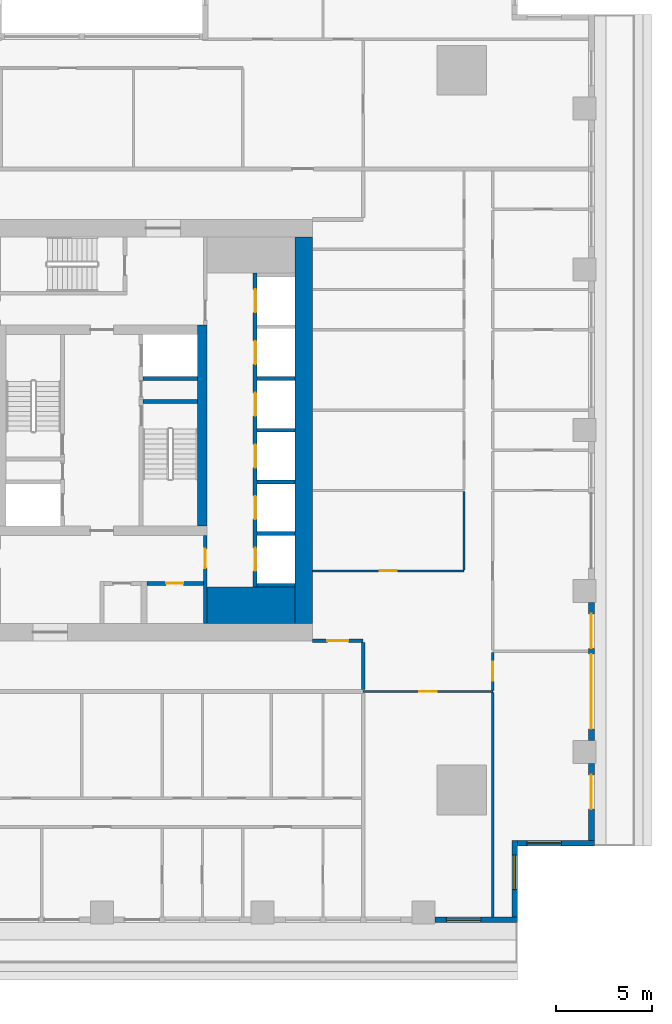
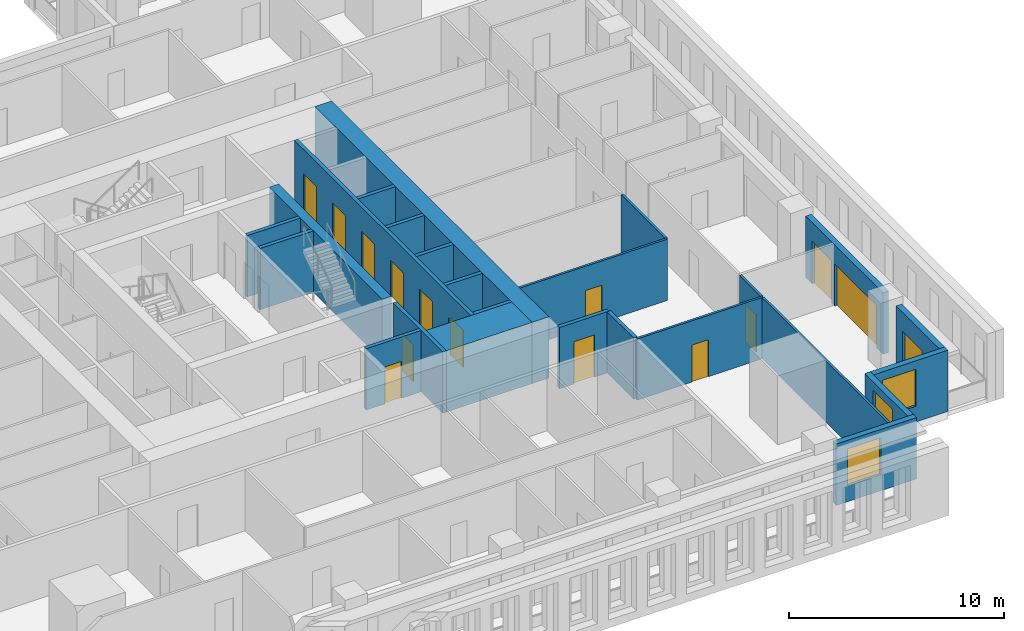
# One storey, part 5 of 15: 25 walls, 15 doors, 3 windows, 18 openings.
"""IFC4 building model written with IfcOpenShell, lengths in metres."""

from ifc_helpers import new_model, si_unit, direction, frame, frame_2d, origin, place, context, subcontext, project, spatial, rectangle, extrude, material, layer, layer_set, type_object, element, fill, save


model = new_model("IFC4")

# Units and contexts
model_context = context("Model", 3, precision=1e-05, world=origin(), true_north=direction((0.0, 1.0)))
body_context = subcontext(model_context, "Body", "Model", "MODEL_VIEW")
ifc_project = project(units=[si_unit("LENGTHUNIT", "METRE"), si_unit("AREAUNIT", "SQUARE_METRE"), si_unit("VOLUMEUNIT", "CUBIC_METRE"), si_unit("PLANEANGLEUNIT", "RADIAN"), si_unit("MASSUNIT", "GRAM", prefix="KILO")], contexts=[model_context])

# Site, building, storey
site_placement = place(None, origin())
site = spatial("IfcSite", under=ifc_project, at=site_placement, CompositionType="ELEMENT")
building_placement = place(site_placement, origin())
building = spatial("IfcBuilding", under=site, at=building_placement, Name="Khepri Terraces", CompositionType="ELEMENT")
storey_placement = place(building_placement, frame((0.0, 0.0, 145.5)))
storey = spatial("IfcBuildingStorey", under=building, at=storey_placement, Name="L34", CompositionType="ELEMENT", Elevation=145.5)

# Walls
ifc_material_1 = material(Name="Concrete C60/75", Category="concrete")
ifc_layer_1 = layer(ifc_material_1, 1.89990234375, Name="Concrete C60/75", Category="concrete")
ifc_layer_set_1 = layer_set([ifc_layer_1], Name="Concrete C60/75")
wall_type_1 = type_object("IfcWallType", Name="Core wall 1900 C60/75", PredefinedType="SHEAR", material=ifc_layer_set_1)
wall_1_placement = place(storey_placement, frame((5.5, -9.14990234375, 0.0), z_axis=(0.0, 0.0, 1.0), x_axis=(1.0, 0.0, 0.0)))
element("IfcWall", 1, at=wall_1_placement, inside=storey, type_object=wall_type_1, Name="Core wall PR02 L34", PredefinedType="SHEAR", context=body_context, shape_type="SweptSolid", body=[
    extrude(rectangle(XDim=4.60009765625, YDim=1.89990234375, at=frame_2d((2.300048828125, 0.0))), origin(), (0.0, 0.0, 1.0), 3.47998046875),
])
ifc_layer_2 = layer(ifc_material_1, 0.199951171875, Name="Concrete C60/75", Category="concrete")
ifc_layer_set_2 = layer_set([ifc_layer_2], Name="Concrete C60/75")
wall_type_2 = type_object("IfcWallType", Name="Core wall 200 C60/75", PredefinedType="SHEAR", material=ifc_layer_set_2)
wall_2_placement = place(storey_placement, frame((2.14990234375, 1.5, 0.0), z_axis=(0.0, 0.0, 1.0), x_axis=(1.0, 0.0, 0.0)))
element("IfcWall", 2, at=wall_2_placement, inside=storey, type_object=wall_type_2, Name="Core wall ST04 L34", PredefinedType="SHEAR", context=body_context, shape_type="SweptSolid", body=[
    extrude(rectangle(XDim=2.85009765625, YDim=0.199951171875, at=frame_2d((1.425048828125, 0.0))), origin(), (0.0, 0.0, 1.0), 3.47998046875),
])

# Wall, openings, doors
wall_3_placement = place(storey_placement, frame((8.0, -8.199951171875, 0.0), z_axis=(0.0, 0.0, 1.0), x_axis=(0.0, 1.0, 0.0)))
wall_3 = element("IfcWall", 3, at=wall_3_placement, inside=storey, type_object=wall_type_2, Name="Core wall SH02 L34", PredefinedType="SHEAR", context=body_context, shape_type="SweptSolid", body=[
    extrude(rectangle(XDim=16.39990234375, YDim=0.199951171875, at=frame_2d((8.199951171875, 0.0))), origin(), (0.0, 0.0, 1.0), 3.47998046875),
])
opening_1_placement = place(wall_3_placement, frame((0.85009765625, 0.0, 0.0)))
opening_1 = element("IfcOpeningElement", 4, at=opening_1_placement, cuts=wall_3, Name="Opening L34-C01", PredefinedType="OPENING", context=body_context, shape_type="SweptSolid", body=[
    extrude(rectangle(XDim=1.199951171875, YDim=2.10009765625, at=frame_2d((0.60009765625, 1.050048828125))), frame((0.0, 0.10986328125, 0.0), z_axis=(0.0, -1.0, 0.0), x_axis=(1.0, 0.0, 0.0)), (0.0, 0.0, 1.0), 0.219970703125),
])
opening_2_placement = place(wall_3_placement, frame((3.550048828125, 0.0, 0.0)))
opening_2 = element("IfcOpeningElement", 5, at=opening_2_placement, cuts=wall_3, Name="Opening L34-C02", PredefinedType="OPENING", context=body_context, shape_type="SweptSolid", body=[
    extrude(rectangle(XDim=1.199951171875, YDim=2.10009765625, at=frame_2d((0.60009765625, 1.050048828125))), frame((0.0, 0.10986328125, 0.0), z_axis=(0.0, -1.0, 0.0), x_axis=(1.0, 0.0, 0.0)), (0.0, 0.0, 1.0), 0.219970703125),
])
opening_3_placement = place(wall_3_placement, frame((6.25, 0.0, 0.0)))
opening_3 = element("IfcOpeningElement", 6, at=opening_3_placement, cuts=wall_3, Name="Opening L34-C03", PredefinedType="OPENING", context=body_context, shape_type="SweptSolid", body=[
    extrude(rectangle(XDim=1.199951171875, YDim=2.10009765625, at=frame_2d((0.60009765625, 1.050048828125))), frame((0.0, 0.10986328125, 0.0), z_axis=(0.0, -1.0, 0.0), x_axis=(1.0, 0.0, 0.0)), (0.0, 0.0, 1.0), 0.219970703125),
])
opening_4_placement = place(wall_3_placement, frame((8.949951171875, 0.0, 0.0)))
opening_4 = element("IfcOpeningElement", 7, at=opening_4_placement, cuts=wall_3, Name="Opening L34-C04", PredefinedType="OPENING", context=body_context, shape_type="SweptSolid", body=[
    extrude(rectangle(XDim=1.199951171875, YDim=2.10009765625, at=frame_2d((0.60009765625, 1.050048828125))), frame((0.0, 0.10986328125, 0.0), z_axis=(0.0, -1.0, 0.0), x_axis=(1.0, 0.0, 0.0)), (0.0, 0.0, 1.0), 0.219970703125),
])
opening_5_placement = place(wall_3_placement, frame((11.64990234375, 0.0, 0.0)))
opening_5 = element("IfcOpeningElement", 8, at=opening_5_placement, cuts=wall_3, Name="Opening L34-C05", PredefinedType="OPENING", context=body_context, shape_type="SweptSolid", body=[
    extrude(rectangle(XDim=1.199951171875, YDim=2.10009765625, at=frame_2d((0.60009765625, 1.050048828125))), frame((0.0, 0.10986328125, 0.0), z_axis=(0.0, -1.0, 0.0), x_axis=(1.0, 0.0, 0.0)), (0.0, 0.0, 1.0), 0.219970703125),
])
opening_6_placement = place(wall_3_placement, frame((14.35009765625, 0.0, 0.0)))
opening_6 = element("IfcOpeningElement", 9, at=opening_6_placement, cuts=wall_3, Name="Opening L34-C06", PredefinedType="OPENING", context=body_context, shape_type="SweptSolid", body=[
    extrude(rectangle(XDim=1.199951171875, YDim=2.10009765625, at=frame_2d((0.60009765625, 1.050048828125))), frame((0.0, 0.10986328125, 0.0), z_axis=(0.0, -1.0, 0.0), x_axis=(1.0, 0.0, 0.0)), (0.0, 0.0, 1.0), 0.219970703125),
])
ifc_material_2 = material(Name="Stainless steel 304", Category="steel")
door_type_1 = type_object("IfcDoorType", Name="DR-CORE-LANDING-1200", OperationType="NOTDEFINED", PredefinedType="DOOR", material=ifc_material_2)
door_1_placement = place(opening_1_placement, origin())
door_1 = element("IfcDoor", 10, at=door_1_placement, inside=storey, type_object=door_type_1, Name="Lift landing door L34-C01", OperationType="SLIDING_TO_LEFT", OverallHeight=2.10009765625, OverallWidth=1.199951171875, PredefinedType="DOOR", context=body_context, shape_type="SweptSolid", body=[
    extrude(rectangle(XDim=1.199951171875, YDim=2.10009765625, at=frame_2d((0.60009765625, 1.050048828125))), frame((0.0, 0.02490234375, 0.0), z_axis=(0.0, -1.0, 0.0), x_axis=(1.0, 0.0, 0.0)), (0.0, 0.0, 1.0), 0.050048828125),
])
fill(opening_1, door_1)
door_2_placement = place(opening_2_placement, origin())
door_2 = element("IfcDoor", 11, at=door_2_placement, inside=storey, type_object=door_type_1, Name="Lift landing door L34-C02", OperationType="SLIDING_TO_LEFT", OverallHeight=2.10009765625, OverallWidth=1.199951171875, PredefinedType="DOOR", context=body_context, shape_type="SweptSolid", body=[
    extrude(rectangle(XDim=1.199951171875, YDim=2.10009765625, at=frame_2d((0.60009765625, 1.050048828125))), frame((0.0, 0.02490234375, 0.0), z_axis=(0.0, -1.0, 0.0), x_axis=(1.0, 0.0, 0.0)), (0.0, 0.0, 1.0), 0.050048828125),
])
fill(opening_2, door_2)
door_3_placement = place(opening_3_placement, origin())
door_3 = element("IfcDoor", 12, at=door_3_placement, inside=storey, type_object=door_type_1, Name="Lift landing door L34-C03", OperationType="SLIDING_TO_LEFT", OverallHeight=2.10009765625, OverallWidth=1.199951171875, PredefinedType="DOOR", context=body_context, shape_type="SweptSolid", body=[
    extrude(rectangle(XDim=1.199951171875, YDim=2.10009765625, at=frame_2d((0.60009765625, 1.050048828125))), frame((0.0, 0.02490234375, 0.0), z_axis=(0.0, -1.0, 0.0), x_axis=(1.0, 0.0, 0.0)), (0.0, 0.0, 1.0), 0.050048828125),
])
fill(opening_3, door_3)
door_4_placement = place(opening_4_placement, origin())
door_4 = element("IfcDoor", 13, at=door_4_placement, inside=storey, type_object=door_type_1, Name="Lift landing door L34-C04", OperationType="SLIDING_TO_LEFT", OverallHeight=2.10009765625, OverallWidth=1.199951171875, PredefinedType="DOOR", context=body_context, shape_type="SweptSolid", body=[
    extrude(rectangle(XDim=1.199951171875, YDim=2.10009765625, at=frame_2d((0.60009765625, 1.050048828125))), frame((0.0, 0.02490234375, 0.0), z_axis=(0.0, -1.0, 0.0), x_axis=(1.0, 0.0, 0.0)), (0.0, 0.0, 1.0), 0.050048828125),
])
fill(opening_4, door_4)
door_5_placement = place(opening_5_placement, origin())
door_5 = element("IfcDoor", 14, at=door_5_placement, inside=storey, type_object=door_type_1, Name="Lift landing door L34-C05", OperationType="SLIDING_TO_LEFT", OverallHeight=2.10009765625, OverallWidth=1.199951171875, PredefinedType="DOOR", context=body_context, shape_type="SweptSolid", body=[
    extrude(rectangle(XDim=1.199951171875, YDim=2.10009765625, at=frame_2d((0.60009765625, 1.050048828125))), frame((0.0, 0.02490234375, 0.0), z_axis=(0.0, -1.0, 0.0), x_axis=(1.0, 0.0, 0.0)), (0.0, 0.0, 1.0), 0.050048828125),
])
fill(opening_5, door_5)
door_6_placement = place(opening_6_placement, origin())
door_6 = element("IfcDoor", 15, at=door_6_placement, inside=storey, type_object=door_type_1, Name="Lift landing door L34-C06", OperationType="SLIDING_TO_LEFT", OverallHeight=2.10009765625, OverallWidth=1.199951171875, PredefinedType="DOOR", context=body_context, shape_type="SweptSolid", body=[
    extrude(rectangle(XDim=1.199951171875, YDim=2.10009765625, at=frame_2d((0.60009765625, 1.050048828125))), frame((0.0, 0.02490234375, 0.0), z_axis=(0.0, -1.0, 0.0), x_axis=(1.0, 0.0, 0.0)), (0.0, 0.0, 1.0), 0.050048828125),
])
fill(opening_6, door_6)

# Walls
for number, where, z_axis, x_axis, name in (
    (16, (8.10009765625, -8.10009765625, 0.0), (0.0, 0.0, 1.0), (1.0, 0.0, 0.0), "Core wall SH03 L34"),
    (17, (8.10009765625, -5.39990234375, 0.0), (0.0, 0.0, 1.0), (1.0, 0.0, 0.0), "Core wall SH04 L34"),
    (18, (8.10009765625, -2.699951171875, 0.0), (0.0, 0.0, 1.0), (1.0, 0.0, 0.0), "Core wall SH08 L34"),
    (19, (8.10009765625, 0.0, 0.0), (0.0, 0.0, 1.0), (1.0, 0.0, 0.0), "Core wall SH09 L34"),
):
    element("IfcWall", number, at=place(storey_placement, frame(where, z_axis=z_axis, x_axis=x_axis)), inside=storey, type_object=wall_type_2, Name=name, PredefinedType="SHEAR", context=body_context, shape_type="SweptSolid", body=[
        extrude(rectangle(XDim=2.0, YDim=0.199951171875, at=frame_2d((1.0, 0.0))), origin(), (0.0, 0.0, 1.0), 3.47998046875),
    ])
wall_4_placement = place(storey_placement, frame((2.14990234375, 2.699951171875, 0.0), z_axis=(0.0, 0.0, 1.0), x_axis=(1.0, 0.0, 0.0)))
element("IfcWall", 20, at=wall_4_placement, inside=storey, type_object=wall_type_2, Name="Core wall SH12 L34", PredefinedType="SHEAR", context=body_context, shape_type="SweptSolid", body=[
    extrude(rectangle(XDim=2.85009765625, YDim=0.199951171875, at=frame_2d((1.425048828125, 0.0))), origin(), (0.0, 0.0, 1.0), 3.47998046875),
])
wall_5_placement = place(storey_placement, frame((8.10009765625, 2.699951171875, 0.0), z_axis=(0.0, 0.0, 1.0), x_axis=(1.0, 0.0, 0.0)))
element("IfcWall", 21, at=wall_5_placement, inside=storey, type_object=wall_type_2, Name="Core wall SH13 L34", PredefinedType="SHEAR", context=body_context, shape_type="SweptSolid", body=[
    extrude(rectangle(XDim=2.0, YDim=0.199951171875, at=frame_2d((1.0, 0.0))), origin(), (0.0, 0.0, 1.0), 3.47998046875),
])
ifc_layer_3 = layer(ifc_material_1, 0.5, Name="Concrete C60/75", Category="concrete")
ifc_layer_set_3 = layer_set([ifc_layer_3], Name="Concrete C60/75")
wall_type_3 = type_object("IfcWallType", Name="Core wall 500 C60/75", PredefinedType="SHEAR", material=ifc_layer_set_3)
wall_6_placement = place(storey_placement, frame((5.25, -5.0, 0.0), z_axis=(0.0, 0.0, 1.0), x_axis=(0.0, 1.0, 0.0)))
element("IfcWall", 22, at=wall_6_placement, inside=storey, type_object=wall_type_3, Name="Core wall BX03 L34", PredefinedType="SHEAR", context=body_context, shape_type="SweptSolid", body=[
    extrude(rectangle(XDim=10.5, YDim=0.5, at=frame_2d((5.25, 0.0))), origin(), (0.0, 0.0, 1.0), 3.47998046875),
])
ifc_layer_4 = layer(ifc_material_1, 0.89990234375, Name="Concrete C60/75", Category="concrete")
ifc_layer_set_4 = layer_set([ifc_layer_4], Name="Concrete C60/75")
wall_type_4 = type_object("IfcWallType", Name="Core wall 900 C60/75", PredefinedType="SHEAR", material=ifc_layer_set_4)
wall_7_placement = place(storey_placement, frame((10.550048828125, -10.10009765625, 0.0), z_axis=(0.0, 0.0, 1.0), x_axis=(0.0, 1.0, 0.0)))
element("IfcWall", 23, at=wall_7_placement, inside=storey, type_object=wall_type_4, Name="Core wall OW-E L34", PredefinedType="SHEAR", context=body_context, shape_type="SweptSolid", body=[
    extrude(rectangle(XDim=20.2001953125, YDim=0.89990234375, at=frame_2d((10.10009765625, 0.0))), origin(), (0.0, 0.0, 1.0), 3.47998046875),
])

# Wall, opening, door
ifc_material_3 = material(Name="Fire-rated gypsum board partition")
ifc_layer_5 = layer(ifc_material_3, 0.199951171875, Name="Fire-rated gypsum board partition")
ifc_layer_set_5 = layer_set([ifc_layer_5], Name="Fire-rated gypsum board partition")
wall_type_5 = type_object("IfcWallType", Name="WL-CORE-PART-200", PredefinedType="PARTITIONING", material=ifc_layer_set_5)
wall_8_placement = place(storey_placement, frame((5.39990234375, -10.10009765625, 0.0), z_axis=(0.0, 0.0, 1.0), x_axis=(0.0, 1.0, 0.0)))
wall_8 = element("IfcWall", 24, at=wall_8_placement, inside=storey, type_object=wall_type_5, Name="Core partition PT04 L34", PredefinedType="PARTITIONING", context=body_context, shape_type="SweptSolid", body=[
    extrude(rectangle(XDim=4.60009765625, YDim=0.199951171875, at=frame_2d((2.300048828125, 0.0))), origin(), (0.0, 0.0, 1.0), 3.47998046875),
])
opening_7_placement = place(wall_8_placement, frame((2.89990234375, 0.0, 0.0)))
opening_7 = element("IfcOpeningElement", 25, at=opening_7_placement, cuts=wall_8, Name="Opening L34-C19", PredefinedType="OPENING", context=body_context, shape_type="SweptSolid", body=[
    extrude(rectangle(XDim=1.0, YDim=2.10009765625, at=frame_2d((0.5, 1.050048828125))), frame((0.0, 0.10986328125, 0.0), z_axis=(0.0, -1.0, 0.0), x_axis=(1.0, 0.0, 0.0)), (0.0, 0.0, 1.0), 0.219970703125),
])
ifc_material_4 = material(Name="Painted steel", Category="steel")
door_type_2 = type_object("IfcDoorType", Name="DR-CORE-LOBBY-1000", OperationType="NOTDEFINED", PredefinedType="DOOR", material=ifc_material_4)
door_7_placement = place(opening_7_placement, origin())
door_7 = element("IfcDoor", 26, at=door_7_placement, inside=storey, type_object=door_type_2, Name="Lobby door L34-C19", OperationType="SINGLE_SWING_RIGHT", OverallHeight=2.10009765625, OverallWidth=1.0, PredefinedType="DOOR", context=body_context, shape_type="SweptSolid", body=[
    extrude(rectangle(XDim=1.0, YDim=2.10009765625, at=frame_2d((0.5, 1.050048828125))), frame((0.0, 0.02490234375, 0.0), z_axis=(0.0, -1.0, 0.0), x_axis=(1.0, 0.0, 0.0)), (0.0, 0.0, 1.0), 0.050048828125),
])
fill(opening_7, door_7)

wall_9_placement = place(storey_placement, frame((2.35009765625, -8.0, 0.0), z_axis=(0.0, 0.0, 1.0), x_axis=(1.0, 0.0, 0.0)))
wall_9 = element("IfcWall", 27, at=wall_9_placement, inside=storey, type_object=wall_type_5, Name="Core partition PT07 L34", PredefinedType="PARTITIONING", context=body_context, shape_type="SweptSolid", body=[
    extrude(rectangle(XDim=2.949951171875, YDim=0.199951171875, at=frame_2d((1.47509765625, 0.0))), origin(), (0.0, 0.0, 1.0), 3.47998046875),
])
opening_8_placement = place(wall_9_placement, frame((1.0, 0.0, 0.0)))
opening_8 = element("IfcOpeningElement", 28, at=opening_8_placement, cuts=wall_9, Name="Opening L34-C23", PredefinedType="OPENING", context=body_context, shape_type="SweptSolid", body=[
    extrude(rectangle(XDim=0.89990234375, YDim=2.10009765625, at=frame_2d((0.449951171875, 1.050048828125))), frame((0.0, 0.10986328125, 0.0), z_axis=(0.0, -1.0, 0.0), x_axis=(1.0, 0.0, 0.0)), (0.0, 0.0, 1.0), 0.219970703125),
])
door_type_3 = type_object("IfcDoorType", Name="DR-CORE-SERVICE-900", OperationType="NOTDEFINED", PredefinedType="DOOR", material=ifc_material_4)
door_8_placement = place(opening_8_placement, frame((0.89990234375, 0.0, 0.0), z_axis=(0.0, 0.0, 1.0), x_axis=(-1.0, 0.0, 0.0)))
door_8 = element("IfcDoor", 29, at=door_8_placement, inside=storey, type_object=door_type_3, Name="Service room door L34-C23", OperationType="SINGLE_SWING_RIGHT", OverallHeight=2.10009765625, OverallWidth=0.89990234375, PredefinedType="DOOR", context=body_context, shape_type="SweptSolid", body=[
    extrude(rectangle(XDim=0.89990234375, YDim=2.10009765625, at=frame_2d((0.449951171875, 1.050048828125))), frame((0.0, 0.02490234375, 0.0), z_axis=(0.0, -1.0, 0.0), x_axis=(1.0, 0.0, 0.0)), (0.0, 0.0, 1.0), 0.050048828125),
])
fill(opening_8, door_8)

# Wall
ifc_material_5 = material(Name="Fire-rated gypsum plasterboard partition, mineral wool")
ifc_layer_6 = layer(ifc_material_5, 0.199951171875, Name="Fire-rated gypsum plasterboard partition, mineral wool")
ifc_layer_set_6 = layer_set([ifc_layer_6], Name="Fire-rated gypsum plasterboard partition, mineral wool")
wall_type_6 = type_object("IfcWallType", Name="WL-CORR-200", PredefinedType="PARTITIONING", material=ifc_layer_set_6)
wall_10_placement = place(storey_placement, frame((13.64990234375, -13.550048828125, 0.0), z_axis=(0.0, 0.0, 1.0), x_axis=(0.0, 1.0, 0.0)))
element("IfcWall", 30, at=wall_10_placement, inside=storey, type_object=wall_type_6, Name="Partition P-024 L34", PredefinedType="PARTITIONING", context=body_context, shape_type="SweptSolid", body=[
    extrude(rectangle(XDim=2.449951171875, YDim=0.199951171875, at=frame_2d((1.22509765625, 0.0))), origin(), (0.0, 0.0, 1.0), 3.47998046875),
])

# Wall, opening, door
wall_11_placement = place(storey_placement, frame((11.0, -11.0, 0.0), z_axis=(0.0, 0.0, 1.0), x_axis=(1.0, 0.0, 0.0)))
wall_11 = element("IfcWall", 31, at=wall_11_placement, inside=storey, type_object=wall_type_6, Name="Partition P-030 L34", PredefinedType="PARTITIONING", context=body_context, shape_type="SweptSolid", body=[
    extrude(rectangle(XDim=2.64990234375, YDim=0.199951171875, at=frame_2d((1.324951171875, 0.0))), origin(), (0.0, 0.0, 1.0), 3.47998046875),
])
opening_9_placement = place(wall_11_placement, frame((0.77490234375, 0.0, 0.0)))
opening_9 = element("IfcOpeningElement", 32, at=opening_9_placement, cuts=wall_11, Name="Opening D1", PredefinedType="OPENING", context=body_context, shape_type="SweptSolid", body=[
    extrude(rectangle(XDim=1.10009765625, YDim=2.39990234375, at=frame_2d((0.550048828125, 1.199951171875))), frame((0.0, 0.10986328125, 0.0), z_axis=(0.0, -1.0, 0.0), x_axis=(1.0, 0.0, 0.0)), (0.0, 0.0, 1.0), 0.219970703125),
])
ifc_material_6 = material(Name="Solid-core timber door leaf, flat entrance door", Category="wood")
door_type_4 = type_object("IfcDoorType", Name="DR-ENT-1100", OperationType="NOTDEFINED", PredefinedType="DOOR", material=ifc_material_6)
door_9_placement = place(opening_9_placement, origin())
door_9 = element("IfcDoor", 33, at=door_9_placement, inside=storey, type_object=door_type_4, Name="Flat B1 entrance door", OperationType="SINGLE_SWING_LEFT", OverallHeight=2.39990234375, OverallWidth=1.10009765625, PredefinedType="DOOR", context=body_context, shape_type="SweptSolid", body=[
    extrude(rectangle(XDim=1.10009765625, YDim=2.39990234375, at=frame_2d((0.550048828125, 1.199951171875))), frame((0.0, 0.02490234375, 0.0), z_axis=(0.0, -1.0, 0.0), x_axis=(1.0, 0.0, 0.0)), (0.0, 0.0, 1.0), 0.050048828125),
])
fill(opening_9, door_9)

# Wall, opening, window
ifc_material_7 = material(Name="Precast concrete C50/60 warm stone", Category="masonry")
ifc_layer_7 = layer(ifc_material_7, 0.300048828125, Name="Precast concrete C50/60 warm stone", Category="masonry")
ifc_layer_set_7 = layer_set([ifc_layer_7], Name="Precast concrete C50/60 warm stone")
wall_type_7 = type_object("IfcWallType", Name="WL-EXT-PRECAST-300", PredefinedType="STANDARD", material=ifc_layer_set_7)
wall_12_placement = place(storey_placement, frame((21.719970703125, -21.570068359375, 0.0), z_axis=(0.0, 0.0, 1.0), x_axis=(1.0, 0.0, 0.0)))
wall_12 = element("IfcWall", 34, at=wall_12_placement, inside=storey, type_object=wall_type_7, Name="External wall L34 S", PredefinedType="STANDARD", context=body_context, shape_type="SweptSolid", body=[
    extrude(rectangle(XDim=4.0, YDim=0.300048828125, at=frame_2d((2.0, 0.0))), origin(), (0.0, 0.0, 1.0), 3.47998046875),
])
opening_10_placement = place(wall_12_placement, frame((0.47998046875, 0.0, 0.89990234375)))
opening_10 = element("IfcOpeningElement", 35, at=opening_10_placement, cuts=wall_12, Name="Opening W1", PredefinedType="OPENING", context=body_context, shape_type="SweptSolid", body=[
    extrude(rectangle(XDim=1.800048828125, YDim=2.10009765625, at=frame_2d((0.89990234375, 1.050048828125))), frame((0.0, 0.16015625, 0.0), z_axis=(0.0, -1.0, 0.0), x_axis=(1.0, 0.0, 0.0)), (0.0, 0.0, 1.0), 0.320068359375),
])
ifc_material_8 = material(Name="Clear glass", Category="glass")
window_type = type_object("IfcWindowType", Name="WIN-RES-1800x2100", PartitioningType="SINGLE_PANEL", PredefinedType="WINDOW", material=ifc_material_8)
window_1_placement = place(opening_10_placement, origin())
window_1 = element("IfcWindow", 36, at=window_1_placement, inside=storey, type_object=window_type, Name="Window L34 S", OverallHeight=2.10009765625, OverallWidth=1.800048828125, PartitioningType="SINGLE_PANEL", PredefinedType="WINDOW", context=body_context, shape_type="SweptSolid", body=[
    extrude(rectangle(XDim=1.800048828125, YDim=2.10009765625, at=frame_2d((0.89990234375, 1.050048828125))), frame((0.0, 0.030029296875, 0.0), z_axis=(0.0, -1.0, 0.0), x_axis=(1.0, 0.0, 0.0)), (0.0, 0.0, 1.0), 0.06005859375),
])
fill(opening_10, window_1)

# Wall, opening, door
wall_13_placement = place(storey_placement, frame((25.570068359375, -21.419921875, 0.0), z_axis=(0.0, 0.0, 1.0), x_axis=(0.0, 1.0, 0.0)))
wall_13 = element("IfcWall", 37, at=wall_13_placement, inside=storey, type_object=wall_type_7, Name="External wall L34 E", PredefinedType="STANDARD", context=body_context, shape_type="SweptSolid", body=[
    extrude(rectangle(XDim=4.02001953125, YDim=0.300048828125, at=frame_2d((2.010009765625, 0.0))), origin(), (0.0, 0.0, 1.0), 3.47998046875),
])
opening_11_placement = place(wall_13_placement, frame((1.6201171875, 0.0, 0.0)))
opening_11 = element("IfcOpeningElement", 38, at=opening_11_placement, cuts=wall_13, Name="Opening ED-L34-01", PredefinedType="OPENING", context=body_context, shape_type="SweptSolid", body=[
    extrude(rectangle(XDim=1.800048828125, YDim=2.39990234375, at=frame_2d((0.89990234375, 1.199951171875))), frame((0.0, 0.16015625, 0.0), z_axis=(0.0, -1.0, 0.0), x_axis=(1.0, 0.0, 0.0)), (0.0, 0.0, 1.0), 0.320068359375),
])
ifc_material_9 = material(Name="Anodised aluminium bronze glazed door", Category="aluminium")
door_type_5 = type_object("IfcDoorType", Name="DR-BAL-SLIDE-1800x2400", OperationType="NOTDEFINED", PredefinedType="DOOR", material=ifc_material_9)
door_10_placement = place(opening_11_placement, origin())
door_10 = element("IfcDoor", 39, at=door_10_placement, inside=storey, type_object=door_type_5, Name="Balcony door L34 E", OperationType="SLIDING_TO_RIGHT", OverallHeight=2.39990234375, OverallWidth=1.800048828125, PredefinedType="DOOR", context=body_context, shape_type="SweptSolid", body=[
    extrude(rectangle(XDim=1.800048828125, YDim=2.39990234375, at=frame_2d((0.89990234375, 1.199951171875))), frame((0.0, 0.02490234375, 0.0), z_axis=(0.0, -1.0, 0.0), x_axis=(1.0, 0.0, 0.0)), (0.0, 0.0, 1.0), 0.050048828125),
])
fill(opening_11, door_10)

# Wall, openings, doors
wall_14_placement = place(storey_placement, frame((25.570068359375, -16.199951171875, 0.0), z_axis=(0.0, 0.0, 1.0), x_axis=(0.0, 1.0, 0.0)))
wall_14 = element("IfcWall", 40, at=wall_14_placement, inside=storey, type_object=wall_type_7, Name="External wall L34 E", PredefinedType="STANDARD", context=body_context, shape_type="SweptSolid", body=[
    extrude(rectangle(XDim=7.199951171875, YDim=0.300048828125, at=frame_2d((3.60009765625, 0.0))), origin(), (0.0, 0.0, 1.0), 3.47998046875),
])
opening_12_placement = place(wall_14_placement, frame((0.60009765625, 0.0, 0.0)))
opening_12 = element("IfcOpeningElement", 41, at=opening_12_placement, cuts=wall_14, Name="Opening ED-L34-02", PredefinedType="OPENING", context=body_context, shape_type="SweptSolid", body=[
    extrude(rectangle(XDim=3.89990234375, YDim=2.39990234375, at=frame_2d((1.949951171875, 1.199951171875))), frame((0.0, 0.16015625, 0.0), z_axis=(0.0, -1.0, 0.0), x_axis=(1.0, 0.0, 0.0)), (0.0, 0.0, 1.0), 0.320068359375),
])
opening_13_placement = place(wall_14_placement, frame((4.800048828125, 0.0, 0.0)))
opening_13 = element("IfcOpeningElement", 42, at=opening_13_placement, cuts=wall_14, Name="Opening ED-L34-03", PredefinedType="OPENING", context=body_context, shape_type="SweptSolid", body=[
    extrude(rectangle(XDim=1.800048828125, YDim=2.39990234375, at=frame_2d((0.89990234375, 1.199951171875))), frame((0.0, 0.16015625, 0.0), z_axis=(0.0, -1.0, 0.0), x_axis=(1.0, 0.0, 0.0)), (0.0, 0.0, 1.0), 0.320068359375),
])
door_11_placement = place(opening_13_placement, origin())
door_11 = element("IfcDoor", 43, at=door_11_placement, inside=storey, type_object=door_type_5, Name="Balcony door L34 E", OperationType="SLIDING_TO_RIGHT", OverallHeight=2.39990234375, OverallWidth=1.800048828125, PredefinedType="DOOR", context=body_context, shape_type="SweptSolid", body=[
    extrude(rectangle(XDim=1.800048828125, YDim=2.39990234375, at=frame_2d((0.89990234375, 1.199951171875))), frame((0.0, 0.02490234375, 0.0), z_axis=(0.0, -1.0, 0.0), x_axis=(1.0, 0.0, 0.0)), (0.0, 0.0, 1.0), 0.050048828125),
])
fill(opening_13, door_11)
door_type_6 = type_object("IfcDoorType", Name="DR-BAL-SLIDE-3900x2400", OperationType="NOTDEFINED", PredefinedType="DOOR", material=ifc_material_9)
door_12_placement = place(opening_12_placement, origin())
door_12 = element("IfcDoor", 44, at=door_12_placement, inside=storey, type_object=door_type_6, Name="Balcony door L34 E", OperationType="SLIDING_TO_LEFT", OverallHeight=2.39990234375, OverallWidth=3.89990234375, PredefinedType="DOOR", context=body_context, shape_type="SweptSolid", body=[
    extrude(rectangle(XDim=3.89990234375, YDim=2.39990234375, at=frame_2d((1.949951171875, 1.199951171875))), frame((0.0, 0.02490234375, 0.0), z_axis=(0.0, -1.0, 0.0), x_axis=(1.0, 0.0, 0.0)), (0.0, 0.0, 1.0), 0.050048828125),
])
fill(opening_12, door_12)

# Wall, opening, window
wall_15_placement = place(storey_placement, frame((17.39990234375, -25.570068359375, 0.0), z_axis=(0.0, 0.0, 1.0), x_axis=(1.0, 0.0, 0.0)))
wall_15 = element("IfcWall", 45, at=wall_15_placement, inside=storey, type_object=wall_type_7, Name="External wall L34 S", PredefinedType="STANDARD", context=body_context, shape_type="SweptSolid", body=[
    extrude(rectangle(XDim=4.320068359375, YDim=0.300048828125, at=frame_2d((2.16015625, 0.0))), origin(), (0.0, 0.0, 1.0), 3.47998046875),
])
opening_14_placement = place(wall_15_placement, frame((0.60009765625, 0.0, 0.89990234375)))
opening_14 = element("IfcOpeningElement", 46, at=opening_14_placement, cuts=wall_15, Name="Opening W1", PredefinedType="OPENING", context=body_context, shape_type="SweptSolid", body=[
    extrude(rectangle(XDim=1.800048828125, YDim=2.10009765625, at=frame_2d((0.89990234375, 1.050048828125))), frame((0.0, 0.16015625, 0.0), z_axis=(0.0, -1.0, 0.0), x_axis=(1.0, 0.0, 0.0)), (0.0, 0.0, 1.0), 0.320068359375),
])
window_2_placement = place(opening_14_placement, origin())
window_2 = element("IfcWindow", 47, at=window_2_placement, inside=storey, type_object=window_type, Name="Window L34 S", OverallHeight=2.10009765625, OverallWidth=1.800048828125, PartitioningType="SINGLE_PANEL", PredefinedType="WINDOW", context=body_context, shape_type="SweptSolid", body=[
    extrude(rectangle(XDim=1.800048828125, YDim=2.10009765625, at=frame_2d((0.89990234375, 1.050048828125))), frame((0.0, 0.030029296875, 0.0), z_axis=(0.0, -1.0, 0.0), x_axis=(1.0, 0.0, 0.0)), (0.0, 0.0, 1.0), 0.06005859375),
])
fill(opening_14, window_2)

wall_16_placement = place(storey_placement, frame((21.570068359375, -25.419921875, 0.0), z_axis=(0.0, 0.0, 1.0), x_axis=(0.0, 1.0, 0.0)))
wall_16 = element("IfcWall", 48, at=wall_16_placement, inside=storey, type_object=wall_type_7, Name="External wall L34 E", PredefinedType="STANDARD", context=body_context, shape_type="SweptSolid", body=[
    extrude(rectangle(XDim=4.0, YDim=0.300048828125, at=frame_2d((2.0, 0.0))), origin(), (0.0, 0.0, 1.0), 3.47998046875),
])
opening_15_placement = place(wall_16_placement, frame((1.419921875, 0.0, 0.89990234375)))
opening_15 = element("IfcOpeningElement", 49, at=opening_15_placement, cuts=wall_16, Name="Opening W1", PredefinedType="OPENING", context=body_context, shape_type="SweptSolid", body=[
    extrude(rectangle(XDim=1.800048828125, YDim=2.10009765625, at=frame_2d((0.89990234375, 1.050048828125))), frame((0.0, 0.16015625, 0.0), z_axis=(0.0, -1.0, 0.0), x_axis=(1.0, 0.0, 0.0)), (0.0, 0.0, 1.0), 0.320068359375),
])
window_3_placement = place(opening_15_placement, origin())
window_3 = element("IfcWindow", 50, at=window_3_placement, inside=storey, type_object=window_type, Name="Window L34 E", OverallHeight=2.10009765625, OverallWidth=1.800048828125, PartitioningType="SINGLE_PANEL", PredefinedType="WINDOW", context=body_context, shape_type="SweptSolid", body=[
    extrude(rectangle(XDim=1.800048828125, YDim=2.10009765625, at=frame_2d((0.89990234375, 1.050048828125))), frame((0.0, 0.030029296875, 0.0), z_axis=(0.0, -1.0, 0.0), x_axis=(1.0, 0.0, 0.0)), (0.0, 0.0, 1.0), 0.06005859375),
])
fill(opening_15, window_3)

# Wall
ifc_material_10 = material(Name="Gypsum plasterboard partition")
ifc_layer_8 = layer(ifc_material_10, 0.1201171875, Name="Gypsum plasterboard partition")
ifc_layer_set_8 = layer_set([ifc_layer_8], Name="Gypsum plasterboard partition")
wall_type_8 = type_object("IfcWallType", Name="WL-PART-120", PredefinedType="PARTITIONING", material=ifc_layer_set_8)
wall_17_placement = place(storey_placement, frame((20.419921875, -25.419921875, 0.0), z_axis=(0.0, 0.0, 1.0), x_axis=(0.0, 1.0, 0.0)))
element("IfcWall", 51, at=wall_17_placement, inside=storey, type_object=wall_type_8, Name="Partition P-008 L34", PredefinedType="PARTITIONING", context=body_context, shape_type="SweptSolid", body=[
    extrude(rectangle(XDim=11.7099609375, YDim=0.1201171875, at=frame_2d((5.85498046875, 0.0))), origin(), (0.0, 0.0, 1.0), 3.47998046875),
])

# Wall, opening, door
wall_18_placement = place(storey_placement, frame((13.64990234375, -13.64990234375, 0.0), z_axis=(0.0, 0.0, 1.0), x_axis=(1.0, 0.0, 0.0)))
wall_18 = element("IfcWall", 52, at=wall_18_placement, inside=storey, type_object=wall_type_8, Name="Partition P-019 L34", PredefinedType="PARTITIONING", context=body_context, shape_type="SweptSolid", body=[
    extrude(rectangle(XDim=6.77001953125, YDim=0.1201171875, at=frame_2d((3.385009765625, 0.0))), origin(), (0.0, 0.0, 1.0), 3.47998046875),
])
opening_16_placement = place(wall_18_placement, frame((2.93505859375, 0.0, 0.0)))
opening_16 = element("IfcOpeningElement", 53, at=opening_16_placement, cuts=wall_18, Name="Opening D3", PredefinedType="OPENING", context=body_context, shape_type="SweptSolid", body=[
    extrude(rectangle(XDim=0.89990234375, YDim=2.10009765625, at=frame_2d((0.449951171875, 1.050048828125))), frame((0.0, 0.070068359375, 0.0), z_axis=(0.0, -1.0, 0.0), x_axis=(1.0, 0.0, 0.0)), (0.0, 0.0, 1.0), 0.14013671875),
])
ifc_material_11 = material(Name="Timber door leaf", Category="wood")
door_type_7 = type_object("IfcDoorType", Name="DR-INT-900", OperationType="NOTDEFINED", PredefinedType="DOOR", material=ifc_material_11)
door_13_placement = place(opening_16_placement, frame((0.89990234375, 0.0, 0.0), z_axis=(0.0, 0.0, 1.0), x_axis=(-1.0, 0.0, 0.0)))
door_13 = element("IfcDoor", 54, at=door_13_placement, inside=storey, type_object=door_type_7, Name="Door Home Cinema", OperationType="SINGLE_SWING_RIGHT", OverallHeight=2.10009765625, OverallWidth=0.89990234375, PredefinedType="DOOR", context=body_context, shape_type="SweptSolid", body=[
    extrude(rectangle(XDim=0.89990234375, YDim=2.10009765625, at=frame_2d((0.449951171875, 1.050048828125))), frame((0.0, 0.02490234375, 0.0), z_axis=(0.0, -1.0, 0.0), x_axis=(1.0, 0.0, 0.0)), (0.0, 0.0, 1.0), 0.050048828125),
])
fill(opening_16, door_13)

wall_19_placement = place(storey_placement, frame((20.419921875, -13.590087890625, 0.0), z_axis=(0.0, 0.0, 1.0), x_axis=(0.0, 1.0, 0.0)))
wall_19 = element("IfcWall", 55, at=wall_19_placement, inside=storey, type_object=wall_type_8, Name="Partition P-020 L34", PredefinedType="PARTITIONING", context=body_context, shape_type="SweptSolid", body=[
    extrude(rectangle(XDim=1.97998046875, YDim=0.1201171875, at=frame_2d((0.989990234375, 0.0))), origin(), (0.0, 0.0, 1.0), 3.47998046875),
])
opening_17_placement = place(wall_19_placement, frame((0.489990234375, 0.0, 0.0)))
opening_17 = element("IfcOpeningElement", 56, at=opening_17_placement, cuts=wall_19, Name="Opening D2", PredefinedType="OPENING", context=body_context, shape_type="SweptSolid", body=[
    extrude(rectangle(XDim=1.0, YDim=2.10009765625, at=frame_2d((0.5, 1.050048828125))), frame((0.0, 0.070068359375, 0.0), z_axis=(0.0, -1.0, 0.0), x_axis=(1.0, 0.0, 0.0)), (0.0, 0.0, 1.0), 0.14013671875),
])
ifc_material_12 = material(Name="Timber door leaf, living room door", Category="wood")
door_type_8 = type_object("IfcDoorType", Name="DR-INT-1000", OperationType="NOTDEFINED", PredefinedType="DOOR", material=ifc_material_12)
door_14_placement = place(opening_17_placement, frame((1.0, 0.0, 0.0), z_axis=(0.0, 0.0, 1.0), x_axis=(-1.0, 0.0, 0.0)))
door_14 = element("IfcDoor", 57, at=door_14_placement, inside=storey, type_object=door_type_8, Name="Door Living Room", OperationType="SINGLE_SWING_RIGHT", OverallHeight=2.10009765625, OverallWidth=1.0, PredefinedType="DOOR", context=body_context, shape_type="SweptSolid", body=[
    extrude(rectangle(XDim=1.0, YDim=2.10009765625, at=frame_2d((0.5, 1.050048828125))), frame((0.0, 0.02490234375, 0.0), z_axis=(0.0, -1.0, 0.0), x_axis=(1.0, 0.0, 0.0)), (0.0, 0.0, 1.0), 0.050048828125),
])
fill(opening_17, door_14)

wall_20_placement = place(storey_placement, frame((11.0, -7.35009765625, 0.0), z_axis=(0.0, 0.0, 1.0), x_axis=(1.0, 0.0, 0.0)))
wall_20 = element("IfcWall", 58, at=wall_20_placement, inside=storey, type_object=wall_type_8, Name="Partition P-035 L34", PredefinedType="PARTITIONING", context=body_context, shape_type="SweptSolid", body=[
    extrude(rectangle(XDim=7.919921875, YDim=0.1201171875, at=frame_2d((3.9599609375, 0.0))), origin(), (0.0, 0.0, 1.0), 3.47998046875),
])
opening_18_placement = place(wall_20_placement, frame((3.510009765625, 0.0, 0.0)))
opening_18 = element("IfcOpeningElement", 59, at=opening_18_placement, cuts=wall_20, Name="Opening D3", PredefinedType="OPENING", context=body_context, shape_type="SweptSolid", body=[
    extrude(rectangle(XDim=0.89990234375, YDim=2.10009765625, at=frame_2d((0.449951171875, 1.050048828125))), frame((0.0, 0.070068359375, 0.0), z_axis=(0.0, -1.0, 0.0), x_axis=(1.0, 0.0, 0.0)), (0.0, 0.0, 1.0), 0.14013671875),
])
door_15_placement = place(opening_18_placement, origin())
door_15 = element("IfcDoor", 60, at=door_15_placement, inside=storey, type_object=door_type_7, Name="Door Kitchen", OperationType="SINGLE_SWING_RIGHT", OverallHeight=2.10009765625, OverallWidth=0.89990234375, PredefinedType="DOOR", context=body_context, shape_type="SweptSolid", body=[
    extrude(rectangle(XDim=0.89990234375, YDim=2.10009765625, at=frame_2d((0.449951171875, 1.050048828125))), frame((0.0, 0.02490234375, 0.0), z_axis=(0.0, -1.0, 0.0), x_axis=(1.0, 0.0, 0.0)), (0.0, 0.0, 1.0), 0.050048828125),
])
fill(opening_18, door_15)

# Wall
wall_21_placement = place(storey_placement, frame((18.919921875, -7.2900390625, 0.0), z_axis=(0.0, 0.0, 1.0), x_axis=(0.0, 1.0, 0.0)))
element("IfcWall", 61, at=wall_21_placement, inside=storey, type_object=wall_type_8, Name="Partition P-038 L34", PredefinedType="PARTITIONING", context=body_context, shape_type="SweptSolid", body=[
    extrude(rectangle(XDim=4.080078125, YDim=0.1201171875, at=frame_2d((2.0400390625, 0.0))), origin(), (0.0, 0.0, 1.0), 3.47998046875),
])

save(model, "model.ifc")
